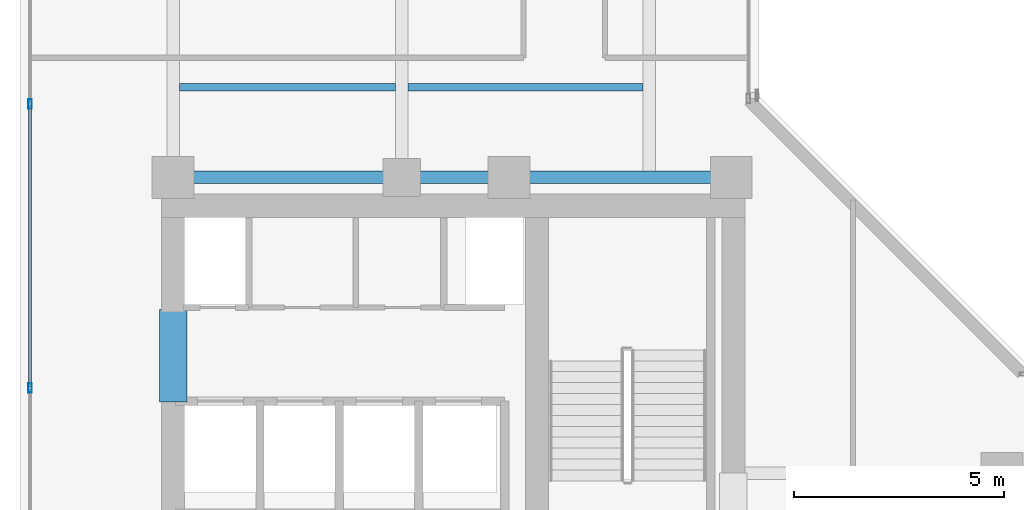
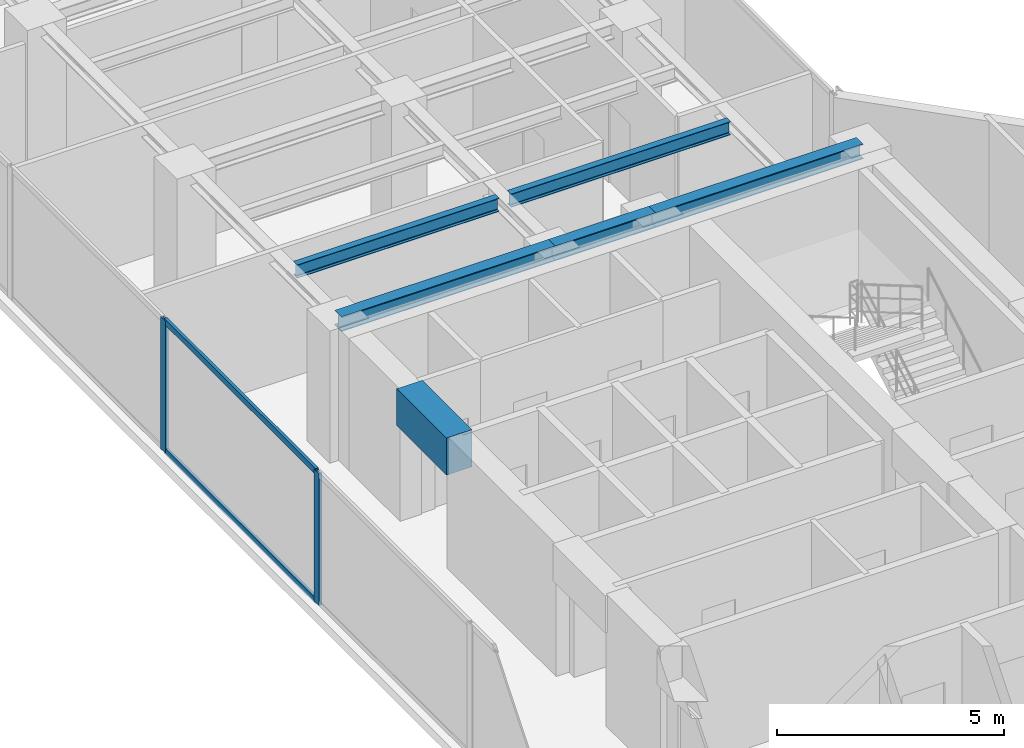
# One storey, part 6 of 23: 6 beams, 4 members, 1 element without a shape of its own.
"""IFC4 building model written with IfcOpenShell, lengths in metres."""

from ifc_helpers import new_model, si_unit, direction, frame, origin, origin_with_axes, origin_2d, place, context, subcontext, project, spatial, rectangle, hollow_rectangle, i_section, extrude, source, transform, mapped, material, layer, layer_set, material_profile, profile_set, type_object, element, aggregate, save


model = new_model("IFC4")

# Units and contexts
model_context = context("Model", 3, precision=1e-05, world=origin(), true_north=direction((0.0, 1.0)))
body_context = subcontext(model_context, "Body", "Model", "MODEL_VIEW")
ifc_project = project(units=[si_unit("LENGTHUNIT", "METRE"), si_unit("AREAUNIT", "SQUARE_METRE"), si_unit("VOLUMEUNIT", "CUBIC_METRE"), si_unit("PLANEANGLEUNIT", "RADIAN"), si_unit("MASSUNIT", "GRAM", prefix="KILO")], contexts=[model_context])

# Site, building, storey
site_placement = place(None, origin())
site = spatial("IfcSite", under=ifc_project, at=site_placement, CompositionType="ELEMENT")
building_placement = place(site_placement, origin())
building = spatial("IfcBuilding", under=site, at=building_placement, Name="Kolvaren Waterfront Exchange", CompositionType="ELEMENT")
storey_placement = place(building_placement, frame((0.0, 0.0, 227.300048828125)))
storey = spatial("IfcBuildingStorey", under=building, at=storey_placement, Name="L58", CompositionType="ELEMENT", Elevation=227.300048828125)

# Beams
ifc_material_1 = material(Name="Steel S355", Category="steel")
ifc_material_profile_1 = material_profile(ifc_material_1, i_section(OverallWidth=0.300048828125, OverallDepth=0.39990234375, WebThickness=0.013427734375, FlangeThickness=0.02392578125, FilletRadius=0.027099609375, at=origin_2d()), Name="HEB400")
ifc_profile_set_1 = profile_set([ifc_material_profile_1], Name="Steel S355")
beam_type_1 = type_object("IfcBeamType", Name="STR-BM-HEB400", PredefinedType="BEAM", material=ifc_profile_set_1)
beam_1_placement = place(storey_placement, frame((7.449951171875, 24.449951171875, 3.35986328125), z_axis=(1.0, 0.0, 0.0), x_axis=(0.0, 1.0, 0.0)))
element("IfcBeam", 1, at=beam_1_placement, inside=storey, type_object=beam_type_1, Name="L58 north-arm girder 1A", PredefinedType="BEAM", context=body_context, shape_type="SweptSolid", body=[
    extrude(i_section(OverallWidth=0.300048828125, OverallDepth=0.39990234375, WebThickness=0.013427734375, FlangeThickness=0.02392578125, FilletRadius=0.027099609375, at=origin_2d()), origin(), (0.0, 0.0, 1.0), 5.449951171875),
])
beam_2_placement = place(storey_placement, frame((12.89990234375, 24.449951171875, 3.35986328125), z_axis=(1.0, 0.0, 0.0), x_axis=(0.0, 1.0, 0.0)))
element("IfcBeam", 2, at=beam_2_placement, inside=storey, type_object=beam_type_1, Name="L58 north-arm girder 1B", PredefinedType="BEAM", context=body_context, shape_type="SweptSolid", body=[
    extrude(i_section(OverallWidth=0.300048828125, OverallDepth=0.39990234375, WebThickness=0.013427734375, FlangeThickness=0.02392578125, FilletRadius=0.027099609375, at=origin_2d()), origin(), (0.0, 0.0, 1.0), 2.550048828125),
])
beam_3_placement = place(storey_placement, frame((15.449951171875, 24.449951171875, 3.35986328125), z_axis=(1.0, 0.0, 0.0), x_axis=(0.0, 1.0, 0.0)))
element("IfcBeam", 3, at=beam_3_placement, inside=storey, type_object=beam_type_1, Name="L58 north-arm girder 1C", PredefinedType="BEAM", context=body_context, shape_type="SweptSolid", body=[
    extrude(i_section(OverallWidth=0.300048828125, OverallDepth=0.39990234375, WebThickness=0.013427734375, FlangeThickness=0.02392578125, FilletRadius=0.027099609375, at=origin_2d()), origin(), (0.0, 0.0, 1.0), 5.300048828125),
])
ifc_material_profile_2 = material_profile(ifc_material_1, i_section(OverallWidth=0.169921875, OverallDepth=0.360107421875, WebThickness=0.008056640625, FlangeThickness=0.0126953125, FilletRadius=0.01806640625, at=origin_2d()), Name="IPE360")
ifc_profile_set_2 = profile_set([ifc_material_profile_2], Name="Steel S355")
beam_type_2 = type_object("IfcBeamType", Name="STR-BM-IPE360", PredefinedType="JOIST", material=ifc_profile_set_2)
beam_4_placement = place(storey_placement, frame((7.60205078125, 26.60009765625, 3.3798828125), z_axis=(1.0, 0.0, 0.0), x_axis=(0.0, 1.0, 0.0)))
element("IfcBeam", 4, at=beam_4_placement, inside=storey, type_object=beam_type_2, Name="L58 north-arm composite joist 1A", PredefinedType="JOIST", context=body_context, shape_type="SweptSolid", body=[
    extrude(i_section(OverallWidth=0.169921875, OverallDepth=0.360107421875, WebThickness=0.008056640625, FlangeThickness=0.0126953125, FilletRadius=0.01806640625, at=origin_2d()), origin(), (0.0, 0.0, 1.0), 5.14599609375),
])
beam_5_placement = place(storey_placement, frame((13.052001953125, 26.60009765625, 3.3798828125), z_axis=(1.0, 0.0, 0.0), x_axis=(0.0, 1.0, 0.0)))
element("IfcBeam", 5, at=beam_5_placement, inside=storey, type_object=beam_type_2, Name="L58 north-arm composite joist 1B", PredefinedType="JOIST", context=body_context, shape_type="SweptSolid", body=[
    extrude(i_section(OverallWidth=0.169921875, OverallDepth=0.360107421875, WebThickness=0.008056640625, FlangeThickness=0.0126953125, FilletRadius=0.01806640625, at=origin_2d()), origin(), (0.0, 0.0, 1.0), 5.595947265625),
])
ifc_material_2 = material(Name="Concrete C60/75", Category="concrete")
ifc_material_profile_3 = material_profile(ifc_material_2, rectangle(XDim=0.64990234375, YDim=1.0, at=origin_2d()), Name="RC-CB-1000x650")
ifc_profile_set_3 = profile_set([ifc_material_profile_3], Name="Concrete C60/75")
beam_type_3 = type_object("IfcBeamType", Name="STR-CB-1000", PredefinedType="SPANDREL", material=ifc_profile_set_3)
beam_6_placement = place(storey_placement, frame((7.449951171875, 19.10009765625, 3.06005859375), z_axis=(0.0, 1.0, 0.0), x_axis=(-1.0, 0.0, 0.0)))
element("IfcBeam", 6, at=beam_6_placement, inside=storey, type_object=beam_type_3, Name="L58 core coupling beam 5", PredefinedType="SPANDREL", context=body_context, shape_type="SweptSolid", body=[
    extrude(rectangle(XDim=0.64990234375, YDim=1.0, at=origin_2d()), origin(), (0.0, 0.0, 1.0), 2.199951171875),
])

# Curtain wall, members
ifc_material_3 = material(Name="Anodised aluminium 6063-T6", Category="aluminium")
ifc_layer = layer(ifc_material_3, 0.219970703125, Name="Anodised aluminium 6063-T6")
ifc_layer_set = layer_set([ifc_layer], Name="Anodised aluminium 6063-T6")
curtain_wall_type = type_object("IfcCurtainWallType", Name="ARC-CW-SYS2", PredefinedType="USERDEFINED", material=ifc_layer_set)
curtain_wall_placement = place(storey_placement, origin())
curtain_wall = element("IfcCurtainWall", 7, at=curtain_wall_placement, inside=storey, type_object=curtain_wall_type, Name="L58 stick curtain wall CW2 (CW-L58-W)", ObjectType="STICK CURTAIN WALL", PredefinedType="USERDEFINED")
ifc_material_profile_4 = material_profile(ifc_material_3, hollow_rectangle(XDim=0.080078125, YDim=0.219970703125, WallThickness=0.0048828125, at=origin_2d()), Name="ALU-MUL-220x80x5")
ifc_profile_set_4 = profile_set([ifc_material_profile_4], Name="Anodised aluminium 6063-T6")
member_type_1 = type_object("IfcMemberType", Name="ARC-CWM-220", PredefinedType="MULLION", material=ifc_profile_set_4)
shared_shape_1 = source(origin_with_axes(), body_context, "Body", "SweptSolid", [
    extrude(hollow_rectangle(XDim=0.080078125, YDim=0.219970703125, WallThickness=0.0048828125, at=origin_2d()), origin(), (0.0, 0.0, 1.0), 3.56005859375),
])
member_1_placement = place(storey_placement, frame((4.0400390625, 19.433349609375, 0.0), z_axis=(0.0, 0.0, 1.0), x_axis=(-1.0, 0.0, 0.0)))
member_1 = element("IfcMember", 8, at=member_1_placement, type_object=member_type_1, Name="CW2 mullion 3", PredefinedType="MULLION", context=body_context, shape_type="MappedRepresentation", body=[
    mapped(shared_shape_1, transform((0.0, 0.0, 0.0), x_axis=(1.0, 0.0, 0.0), y_axis=(0.0, 1.0, 0.0), z_axis=(0.0, 0.0, 1.0), scale=1.0)),
])
member_2_placement = place(storey_placement, frame((4.0400390625, 26.199951171875, 0.0), z_axis=(0.0, 0.0, 1.0), x_axis=(-1.0, 0.0, 0.0)))
member_2 = element("IfcMember", 9, at=member_2_placement, type_object=member_type_1, Name="CW2 mullion 4", PredefinedType="MULLION", context=body_context, shape_type="MappedRepresentation", body=[
    mapped(shared_shape_1, transform((0.0, 0.0, 0.0), x_axis=(1.0, 0.0, 0.0), y_axis=(0.0, 1.0, 0.0), z_axis=(0.0, 0.0, 1.0), scale=1.0)),
])
ifc_material_profile_5 = material_profile(ifc_material_3, hollow_rectangle(XDim=0.074951171875, YDim=0.159912109375, WallThickness=0.00439453125, at=origin_2d()), Name="ALU-TRN-160x75x4.5")
ifc_profile_set_5 = profile_set([ifc_material_profile_5], Name="Anodised aluminium 6063-T6")
member_type_2 = type_object("IfcMemberType", Name="ARC-CWT-160", PredefinedType="USERDEFINED", material=ifc_profile_set_5)
shared_shape_2 = source(origin_with_axes(), body_context, "Body", "SweptSolid", [
    extrude(hollow_rectangle(XDim=0.074951171875, YDim=0.159912109375, WallThickness=0.00439453125, at=origin_2d()), origin(), (0.0, 0.0, 1.0), 6.6865234375),
])
member_3_placement = place(storey_placement, frame((4.0400390625, 19.473388671875, 0.037353515625), z_axis=(0.0, 1.0, 0.0), x_axis=(-1.0, 0.0, 0.0)))
member_3 = element("IfcMember", 10, at=member_3_placement, type_object=member_type_2, Name="CW2 transom 3.1", ObjectType="TRANSOM", PredefinedType="USERDEFINED", context=body_context, shape_type="MappedRepresentation", body=[
    mapped(shared_shape_2, transform((0.0, 0.0, 0.0), x_axis=(1.0, 0.0, 0.0), y_axis=(0.0, 1.0, 0.0), z_axis=(0.0, 0.0, 1.0), scale=1.0)),
])
member_4_placement = place(storey_placement, frame((4.0400390625, 19.473388671875, 3.5224609375), z_axis=(0.0, 1.0, 0.0), x_axis=(-1.0, 0.0, 0.0)))
member_4 = element("IfcMember", 11, at=member_4_placement, type_object=member_type_2, Name="CW2 transom 3.2", ObjectType="TRANSOM", PredefinedType="USERDEFINED", context=body_context, shape_type="MappedRepresentation", body=[
    mapped(shared_shape_2, transform((0.0, 0.0, 0.0), x_axis=(1.0, 0.0, 0.0), y_axis=(0.0, 1.0, 0.0), z_axis=(0.0, 0.0, 1.0), scale=1.0)),
])
aggregate(curtain_wall, [member_1, member_2, member_3, member_4])

save(model, "model.ifc")
